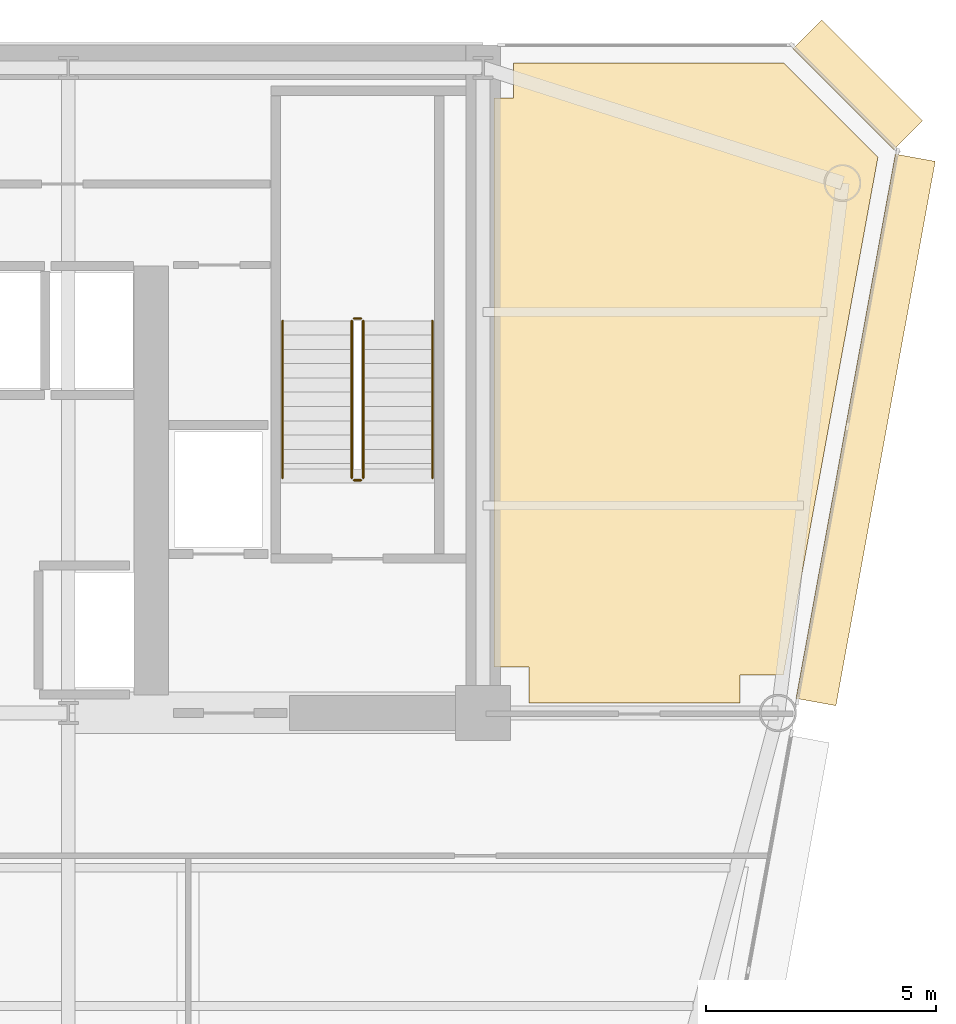
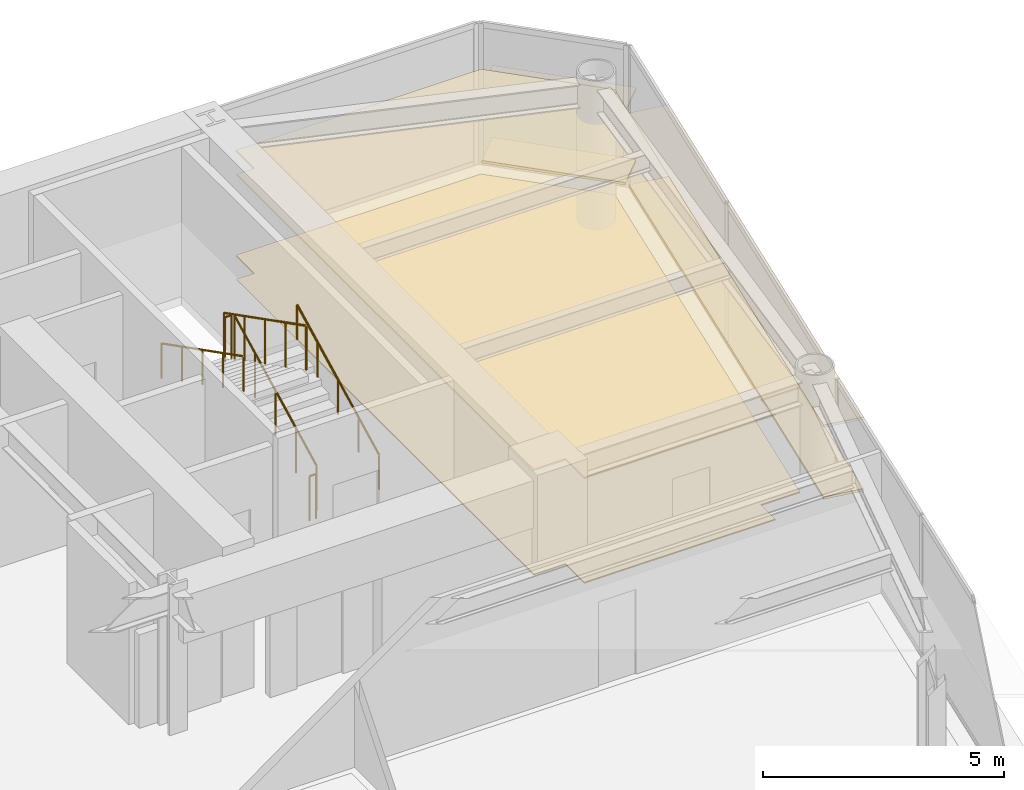
# One storey, part 17 of 17: 6 coverings, 6 railings.
"""IFC4 building model written with IfcOpenShell, lengths in metres."""

import ifcopenshell
import ifcopenshell.guid

model = None  # the IFC model being written
_history = None  # IfcOwnerHistory: only IFC2X3 demands one
_inside = {}  # id of a spatial element -> (the spatial element, [elements in it])
_under = {}  # id of a project, library or spatial element -> (it, [spatial elements below it])
_declared = {}  # id of a project -> (the project, [libraries it declares])
_typed = {}  # id of a type object -> (the type object, [elements of that type])
_made_of = {}  # id of a material, layer set ... -> (it, [elements and type objects made of it])


def new_model(schema):
    """Start an empty IFC model of exactly this schema.

    Asked for "IFC4X3", IfcOpenShell would pick the latest addendum, in which some entities
    have other attributes; the version numbers below select the first issue.
    IFC2X3 requires an IfcOwnerHistory on every rooted entity: one is made here for all.
    """
    global model, _history
    if schema == "IFC4X3":
        model = ifcopenshell.file(schema_version=(4, 3, 0, 0))
    else:
        model = ifcopenshell.file(schema=schema)
    _inside.clear()
    _under.clear()
    _declared.clear()
    _typed.clear()
    _made_of.clear()
    _history = None
    if model.schema == "IFC2X3":
        org = make("IfcOrganization", Name="unknown")
        user = make(
            "IfcPersonAndOrganization",
            ThePerson=make("IfcPerson", FamilyName="unknown"),
            TheOrganization=org,
        )
        app = make(
            "IfcApplication",
            ApplicationDeveloper=org,
            Version="unknown",
            ApplicationFullName="unknown",
            ApplicationIdentifier="unknown",
        )
        _history = make(
            "IfcOwnerHistory",
            OwningUser=user,
            OwningApplication=app,
            ChangeAction="ADDED",
            CreationDate=0,
        )
    return model


def make(cls, **values):
    """One entity of the class cls with the attributes given. An attribute that is None is left unset."""
    return model.create_entity(
        cls, **{name: value for name, value in values.items() if value is not None}
    )


def rooted(cls, **values):
    """An entity with a GlobalId (a new one), such as an element, a storey or a relation."""
    return make(cls, GlobalId=ifcopenshell.guid.new(), OwnerHistory=_history, **values)


def si_unit(unit_type, name, prefix=None):
    """IfcSIUnit, for example si_unit("LENGTHUNIT", "METRE", prefix="MILLI")."""
    return make("IfcSIUnit", UnitType=unit_type, Prefix=prefix, Name=name)


def assignment(units):
    """IfcUnitAssignment: the units of a project."""
    return None if units is None else make("IfcUnitAssignment", Units=units)


def point(xyz):
    """IfcCartesianPoint."""
    return None if xyz is None else make("IfcCartesianPoint", Coordinates=xyz)


def direction(xyz):
    """IfcDirection."""
    return None if xyz is None else make("IfcDirection", DirectionRatios=xyz)


def frame(location, z_axis=None, x_axis=None):
    """IfcAxis2Placement3D, a coordinate frame: its origin and axes. An axis left out is left unset."""
    return make(
        "IfcAxis2Placement3D",
        Location=point(location),
        Axis=direction(z_axis),
        RefDirection=direction(x_axis),
    )


def frame_2d(location, x_axis=None):
    """IfcAxis2Placement2D, a coordinate frame in the plane: its origin and x axis."""
    return make(
        "IfcAxis2Placement2D", Location=point(location), RefDirection=direction(x_axis)
    )


def origin():
    """The frame at (0, 0, 0) with its axes left unset."""
    return frame((0.0, 0.0, 0.0))


def origin_2d():
    """The frame at (0, 0) in the plane with its x axis left unset."""
    return frame_2d((0.0, 0.0))


def place(relative_to, where):
    """IfcLocalPlacement: puts the frame where relative to a parent placement (None: the world)."""
    return make(
        "IfcLocalPlacement", PlacementRelTo=relative_to, RelativePlacement=where
    )


def context(
    kind, dimensions, precision=None, world=None, true_north=None, identifier=None
):
    """IfcGeometricRepresentationContext, for example the 3D "Model" context."""
    return make(
        "IfcGeometricRepresentationContext",
        ContextIdentifier=identifier,
        ContextType=kind,
        CoordinateSpaceDimension=dimensions,
        Precision=precision,
        WorldCoordinateSystem=world,
        TrueNorth=true_north,
    )


def subcontext(parent, identifier, kind, view, scale=None):
    """IfcGeometricRepresentationSubContext, for example "Body" below "Model"."""
    return make(
        "IfcGeometricRepresentationSubContext",
        ContextIdentifier=identifier,
        ContextType=kind,
        ParentContext=parent,
        TargetScale=scale,
        TargetView=view,
    )


def project(units=None, contexts=None):
    """IfcProject with its units and contexts."""
    return rooted(
        "IfcProject",
        Name="project",
        RepresentationContexts=contexts,
        UnitsInContext=assignment(units),
    )


def spatial(cls, under=None, at=None, **own):
    """A site, building, storey or space (cls), placed at a placement, below another one or the project."""
    s = rooted(cls, ObjectPlacement=at, **own)
    if under is not None:
        _under.setdefault(under.id(), (under, []))[1].append(s)
    return s


def polyline(points):
    """IfcPolyline through the points."""
    return make("IfcPolyline", Points=[point(p) for p in points])


def profile(cls, at=None, kind="AREA", **sizes):
    """A parametric profile (cls). Its sizes go by their IFC names, for example OverallWidth=200.0."""
    return make(cls, ProfileType=kind, Position=at, **sizes)


def rectangle(**sizes):
    """IfcRectangleProfileDef."""
    return profile("IfcRectangleProfileDef", **sizes)


def circle(**sizes):
    """IfcCircleProfileDef."""
    return profile("IfcCircleProfileDef", **sizes)


def outline(outer, holes=None, kind="AREA"):
    """IfcArbitraryClosedProfileDef: a profile drawn as a closed curve; with holes, ...WithVoids."""
    if holes is None:
        return make("IfcArbitraryClosedProfileDef", ProfileType=kind, OuterCurve=outer)
    return make(
        "IfcArbitraryProfileDefWithVoids",
        ProfileType=kind,
        OuterCurve=outer,
        InnerCurves=holes,
    )


def extrude(swept, where, along, depth):
    """IfcExtrudedAreaSolid: the profile swept, set in the frame where, extruded along a direction by depth."""
    return make(
        "IfcExtrudedAreaSolid",
        SweptArea=swept,
        Position=where,
        ExtrudedDirection=direction(along),
        Depth=depth,
    )


def shape(context_of_items, identifier, shape_type, items):
    """IfcShapeRepresentation: the items that make up one representation, for example the "Body"."""
    return make(
        "IfcShapeRepresentation",
        ContextOfItems=context_of_items,
        RepresentationIdentifier=identifier,
        RepresentationType=shape_type,
        Items=items,
    )


def source(mapping_origin, context_of_items, identifier, shape_type, items):
    """IfcRepresentationMap: a shape defined once, which mapped items show again and again."""
    return make(
        "IfcRepresentationMap",
        MappingOrigin=mapping_origin,
        MappedRepresentation=shape(context_of_items, identifier, shape_type, items),
    )


def transform(
    local_origin,
    x_axis=None,
    y_axis=None,
    z_axis=None,
    scale=None,
    scale2=None,
    scale3=None,
    uniform=True,
):
    """IfcCartesianTransformationOperator3D, or its non-uniform kind. x_axis, y_axis, z_axis: its Axis1, 2, 3."""
    if uniform:
        return make(
            "IfcCartesianTransformationOperator3D",
            Axis1=direction(x_axis),
            Axis2=direction(y_axis),
            LocalOrigin=point(local_origin),
            Scale=scale,
            Axis3=direction(z_axis),
        )
    return make(
        "IfcCartesianTransformationOperator3DnonUniform",
        Axis1=direction(x_axis),
        Axis2=direction(y_axis),
        LocalOrigin=point(local_origin),
        Scale=scale,
        Axis3=direction(z_axis),
        Scale2=scale2,
        Scale3=scale3,
    )


def mapped(mapping_source, mapping_target):
    """IfcMappedItem: shows the shape of a source again, moved by a transform."""
    return make(
        "IfcMappedItem", MappingSource=mapping_source, MappingTarget=mapping_target
    )


def material(Name=None, Category=None):
    """IfcMaterial."""
    return make("IfcMaterial", Name=Name, Category=Category)


def layer(
    of_material, thickness, ventilated=None, Name=None, Category=None, Priority=None
):
    """IfcMaterialLayer: one layer of a wall or slab, of a material (None: an air gap)."""
    return make(
        "IfcMaterialLayer",
        Material=of_material,
        LayerThickness=thickness,
        IsVentilated=ventilated,
        Name=Name,
        Category=Category,
        Priority=Priority,
    )


def layer_set(layers, Name=None):
    """IfcMaterialLayerSet."""
    return make("IfcMaterialLayerSet", MaterialLayers=layers, LayerSetName=Name)


def made_of(thing, what):
    """Note that an element or type object is made of a material, layer set ...; save() writes the relation."""
    if what is not None:
        _made_of.setdefault(what.id(), (what, []))[1].append(thing)
    return thing


def type_object(cls, material=None, **own):
    """A type object (cls), such as IfcWallType, which elements share."""
    return made_of(rooted(cls, **own), material)


def element(
    cls,
    number,
    at=None,
    inside=None,
    cuts=None,
    type_object=None,
    material=None,
    context=None,
    identifier="Body",
    shape_type=None,
    held_by="IfcProductDefinitionShape",
    body=None,
    shapes=None,
    **own,
):
    """One element of the class cls, such as IfcWall. Its Tag is "e" and its number.

    at: its placement. inside: the storey or other place that contains it. cuts: it is an
    opening in that element (IfcRelVoidsElement). A single representation is given by context,
    identifier, shape_type and body (its items); several are given by shapes. held_by: the class
    of the entity that holds the representations. save() writes the other relations.
    """
    e = rooted(cls, Tag="e%d" % number, ObjectPlacement=at, **own)
    if body is not None:
        shapes = [shape(context, identifier, shape_type, body)]
    if shapes is not None:
        e.Representation = make(held_by, Representations=shapes)
    if inside is not None:
        _inside.setdefault(inside.id(), (inside, []))[1].append(e)
    if cuts is not None:
        rooted(
            "IfcRelVoidsElement", RelatingBuildingElement=cuts, RelatedOpeningElement=e
        )
    if type_object is not None:
        _typed.setdefault(type_object.id(), (type_object, []))[1].append(e)
    return made_of(e, material)


def aggregate(whole, parts):
    """IfcRelAggregates: a whole, such as a stair, and the parts it consists of."""
    return rooted("IfcRelAggregates", RelatingObject=whole, RelatedObjects=parts)


def save(model, path):
    """Write the relations noted so far, then the file.

    IfcRelAggregates (storeys below a building ...), IfcRelContainedInSpatialStructure (elements
    in a storey), IfcRelDefinesByType, IfcRelAssociatesMaterial and IfcRelDeclares: one each for
    every whole, place, type object, material and project.
    """
    for whole, parts in _under.values():
        aggregate(whole, parts)
    for where, things in _inside.values():
        rooted(
            "IfcRelContainedInSpatialStructure",
            RelatedElements=things,
            RelatingStructure=where,
        )
    for kind, things in _typed.values():
        rooted("IfcRelDefinesByType", RelatedObjects=things, RelatingType=kind)
    for what, things in _made_of.values():
        rooted("IfcRelAssociatesMaterial", RelatedObjects=things, RelatingMaterial=what)
    for by, libraries in _declared.values():
        rooted("IfcRelDeclares", RelatingContext=by, RelatedDefinitions=libraries)
    model.write(path)


model = new_model("IFC4")

# Units and contexts
model_context = context("Model", 3, precision=1e-05, world=origin(), true_north=direction((0.0, 1.0)))
body_context = subcontext(model_context, "Body", "Model", "MODEL_VIEW")
ifc_project = project(units=[si_unit("LENGTHUNIT", "METRE"), si_unit("AREAUNIT", "SQUARE_METRE"), si_unit("VOLUMEUNIT", "CUBIC_METRE"), si_unit("PLANEANGLEUNIT", "RADIAN"), si_unit("MASSUNIT", "GRAM", prefix="KILO")], contexts=[model_context])

# Site, building, storey
site_placement = place(None, origin())
site = spatial("IfcSite", under=ifc_project, at=site_placement, CompositionType="ELEMENT")
building_placement = place(site_placement, origin())
building = spatial("IfcBuilding", under=site, at=building_placement, Name="Vaeldorn Concourse Tower", CompositionType="ELEMENT")
storey_placement = place(building_placement, frame((0.0, 0.0, 165.199951171875)))
storey = spatial("IfcBuildingStorey", under=building, at=storey_placement, Name="L42", CompositionType="ELEMENT", Elevation=165.199951171875)

# Coverings
ifc_material_1 = material(Name="Acoustic Mineral Fibre Board", Category="gypsum")
ifc_layer_1 = layer(ifc_material_1, 0.0400390625)
ifc_layer_set_1 = layer_set([ifc_layer_1], Name="Acoustic Mineral Fibre Board")
covering_type_1 = type_object("IfcCoveringType", Name="COV-CEIL-ACOUSTIC", PredefinedType="CEILING", material=ifc_layer_set_1)
covering_1_placement = place(storey_placement, frame((0.0, 0.0, 2.650146484375)))
element("IfcCovering", 1, at=covering_1_placement, inside=storey, type_object=covering_type_1, Name="Suspended Acoustic Ceiling L42-4", PredefinedType="CEILING", context=body_context, shape_type="SweptSolid", body=[
    extrude(outline(polyline([(54.659912109375, 49.840087890625), (54.659912109375, 50.60009765625), (60.5341796875, 50.60009765625), (62.56884765625, 48.5654296875), (60.517578125, 37.320068359375), (59.580078125, 37.320068359375), (59.580078125, 36.719970703125), (55.0, 36.719970703125), (55.0, 37.5), (54.239990234375, 37.5), (54.239990234375, 49.840087890625), (54.659912109375, 49.840087890625)])), origin(), (0.0, 0.0, 1.0), 0.039794921875),
])
ifc_material_2 = material(Name="Honed Limestone Terrazzo Flooring", Category="masonry")
ifc_layer_2 = layer(ifc_material_2, 0.0400390625)
ifc_layer_set_2 = layer_set([ifc_layer_2], Name="Honed Limestone Terrazzo Flooring")
covering_type_2 = type_object("IfcCoveringType", Name="COV-FLOOR-STONE", PredefinedType="FLOORING", material=ifc_layer_set_2)
covering_2_placement = place(storey_placement, origin())
element("IfcCovering", 2, at=covering_2_placement, inside=storey, type_object=covering_type_2, Name="Floor Finish Covering L42-4", PredefinedType="FLOORING", context=body_context, shape_type="SweptSolid", body=[
    extrude(outline(polyline([(54.659912109375, 49.840087890625), (54.659912109375, 50.60009765625), (60.5341796875, 50.60009765625), (62.56884765625, 48.5654296875), (60.517578125, 37.320068359375), (59.580078125, 37.320068359375), (59.580078125, 36.719970703125), (55.0, 36.719970703125), (55.0, 37.5), (54.239990234375, 37.5), (54.239990234375, 49.840087890625), (54.659912109375, 49.840087890625)])), origin(), (0.0, 0.0, 1.0), 0.030029296875),
])

# Railings
ifc_material_3 = material(Name="Anodised Bronze Aluminium", Category="aluminium")
railing_type_1 = type_object("IfcRailingType", Name="RL-STAIR-GUARD", PredefinedType="GUARDRAIL", material=ifc_material_3)
railing_1_placement = place(storey_placement, frame((51.39990234375, 41.60009765625, 0.158447265625)))
element("IfcRailing", 3, at=railing_1_placement, inside=storey, type_object=railing_type_1, Name="L42 ST-2 stair guard 1", PredefinedType="GUARDRAIL", context=body_context, shape_type="SweptSolid", body=[
    extrude(circle(Radius=0.02392578125, at=origin_2d()), frame((0.0, 0.0, 1.1259765625), z_axis=(0.0, 0.890555807335, 0.454873997962), x_axis=(-1.0, 0.0, 0.0)), (0.0, 0.0, 1.0), 3.828857421875),
    extrude(circle(Radius=0.02099609375, at=origin_2d()), origin(), (0.0, 0.0, 1.0), 1.101806640625),
    extrude(circle(Radius=0.02099609375, at=origin_2d()), frame((0.0, 0.8525390625, 0.435546875)), (0.0, 0.0, 1.0), 1.101806640625),
    extrude(circle(Radius=0.02099609375, at=origin_2d()), frame((0.0, 1.705078125, 0.870849609375)), (0.0, 0.0, 1.0), 1.101806640625),
    extrude(circle(Radius=0.02099609375, at=origin_2d()), frame((0.0, 2.557373046875, 1.30615234375)), (0.0, 0.0, 1.0), 1.101806640625),
    extrude(circle(Radius=0.02099609375, at=origin_2d()), frame((0.0, 3.409912109375, 1.74169921875)), (0.0, 0.0, 1.0), 1.101806640625),
])
railing_2_placement = place(storey_placement, frame((51.35009765625, 45.06005859375, 1.900146484375)))
element("IfcRailing", 4, at=railing_2_placement, inside=storey, type_object=railing_type_1, Name="L42 ST-2 stair guard 2", PredefinedType="GUARDRAIL", context=body_context, shape_type="SweptSolid", body=[
    extrude(circle(Radius=0.02392578125, at=origin_2d()), frame((0.0, 0.0, 1.1259765625), z_axis=(-1.0, 0.0, 0.0), x_axis=(0.0, -1.0, 0.0)), (0.0, 0.0, 1.0), 0.150146484375),
    extrude(circle(Radius=0.02099609375, at=origin_2d()), origin(), (0.0, 0.0, 1.0), 1.101806640625),
    extrude(circle(Radius=0.02099609375, at=origin_2d()), frame((-0.150146484375, 0.0, 0.0)), (0.0, 0.0, 1.0), 1.101806640625),
])
railing_3_placement = place(storey_placement, frame((51.14990234375, 45.010009765625, 2.058349609375)))
element("IfcRailing", 5, at=railing_3_placement, inside=storey, type_object=railing_type_1, Name="L42 ST-2 stair guard 3", PredefinedType="GUARDRAIL", context=body_context, shape_type="SweptSolid", body=[
    extrude(circle(Radius=0.02392578125, at=origin_2d()), frame((0.0, 0.0, 1.1259765625), z_axis=(0.0, -0.890555807335, 0.454873997962), x_axis=(1.0, 0.0, 0.0)), (0.0, 0.0, 1.0), 3.828857421875),
    extrude(circle(Radius=0.02099609375, at=origin_2d()), origin(), (0.0, 0.0, 1.0), 1.101806640625),
    extrude(circle(Radius=0.02099609375, at=origin_2d()), frame((0.0, -0.8525390625, 0.435546875)), (0.0, 0.0, 1.0), 1.101806640625),
    extrude(circle(Radius=0.02099609375, at=origin_2d()), frame((0.0, -1.705078125, 0.870849609375)), (0.0, 0.0, 1.0), 1.101806640625),
    extrude(circle(Radius=0.02099609375, at=origin_2d()), frame((0.0, -2.557373046875, 1.30615234375)), (0.0, 0.0, 1.0), 1.101806640625),
    extrude(circle(Radius=0.02099609375, at=origin_2d()), frame((0.0, -3.409912109375, 1.74169921875)), (0.0, 0.0, 1.0), 1.101806640625),
])
railing_4_placement = place(storey_placement, frame((51.35009765625, 41.550048828125, 0.0)))
element("IfcRailing", 6, at=railing_4_placement, inside=storey, type_object=railing_type_1, Name="L42 ST-2 stair guard 4", PredefinedType="GUARDRAIL", context=body_context, shape_type="SweptSolid", body=[
    extrude(circle(Radius=0.02392578125, at=origin_2d()), frame((0.0, 0.0, 1.1259765625), z_axis=(-1.0, 0.0, 0.0), x_axis=(0.0, -1.0, 0.0)), (0.0, 0.0, 1.0), 0.150146484375),
    extrude(circle(Radius=0.02099609375, at=origin_2d()), origin(), (0.0, 0.0, 1.0), 1.101806640625),
    extrude(circle(Radius=0.02099609375, at=origin_2d()), frame((-0.150146484375, 0.0, 0.0)), (0.0, 0.0, 1.0), 1.101806640625),
])
railing_type_2 = type_object("IfcRailingType", Name="RL-STAIR-HANDRAIL", PredefinedType="HANDRAIL", material=ifc_material_3)
railing_5_placement = place(storey_placement, frame((52.89990234375, 41.60009765625, 0.158447265625)))
element("IfcRailing", 7, at=railing_5_placement, inside=storey, type_object=railing_type_2, Name="L42 ST-2 stair handrail 1", PredefinedType="HANDRAIL", context=body_context, shape_type="SweptSolid", body=[
    extrude(circle(Radius=0.02392578125, at=origin_2d()), frame((0.0, 0.0, 0.8759765625), z_axis=(0.0, 0.890555807335, 0.454873997962), x_axis=(-1.0, 0.0, 0.0)), (0.0, 0.0, 1.0), 3.828857421875),
    extrude(circle(Radius=0.02099609375, at=origin_2d()), origin(), (0.0, 0.0, 1.0), 0.851806640625),
    extrude(circle(Radius=0.02099609375, at=origin_2d()), frame((0.0, 0.8525390625, 0.435546875)), (0.0, 0.0, 1.0), 0.851806640625),
    extrude(circle(Radius=0.02099609375, at=origin_2d()), frame((0.0, 1.705078125, 0.870849609375)), (0.0, 0.0, 1.0), 0.851806640625),
    extrude(circle(Radius=0.02099609375, at=origin_2d()), frame((0.0, 2.557373046875, 1.30615234375)), (0.0, 0.0, 1.0), 0.851806640625),
    extrude(circle(Radius=0.02099609375, at=origin_2d()), frame((0.0, 3.409912109375, 1.74169921875)), (0.0, 0.0, 1.0), 0.851806640625),
])
railing_6_placement = place(storey_placement, frame((49.64990234375, 45.010009765625, 2.058349609375)))
element("IfcRailing", 8, at=railing_6_placement, inside=storey, type_object=railing_type_2, Name="L42 ST-2 stair handrail 2", PredefinedType="HANDRAIL", context=body_context, shape_type="SweptSolid", body=[
    extrude(circle(Radius=0.02392578125, at=origin_2d()), frame((0.0, 0.0, 0.8759765625), z_axis=(0.0, -0.890555807335, 0.454873997962), x_axis=(1.0, 0.0, 0.0)), (0.0, 0.0, 1.0), 3.828857421875),
    extrude(circle(Radius=0.02099609375, at=origin_2d()), origin(), (0.0, 0.0, 1.0), 0.851806640625),
    extrude(circle(Radius=0.02099609375, at=origin_2d()), frame((0.0, -0.8525390625, 0.435546875)), (0.0, 0.0, 1.0), 0.851806640625),
    extrude(circle(Radius=0.02099609375, at=origin_2d()), frame((0.0, -1.705078125, 0.870849609375)), (0.0, 0.0, 1.0), 0.851806640625),
    extrude(circle(Radius=0.02099609375, at=origin_2d()), frame((0.0, -2.557373046875, 1.30615234375)), (0.0, 0.0, 1.0), 0.851806640625),
    extrude(circle(Radius=0.02099609375, at=origin_2d()), frame((0.0, -3.409912109375, 1.74169921875)), (0.0, 0.0, 1.0), 0.851806640625),
])

# Coverings
ifc_layer_3 = layer(ifc_material_3, 0.06494140625)
ifc_layer_set_3 = layer_set([ifc_layer_3], Name="Anodised Bronze Aluminium")
covering_type_3 = type_object("IfcCoveringType", Name="SD-BRONZE-SUNSHADE", PredefinedType="USERDEFINED", material=ifc_layer_set_3)
shared_shape_1 = source(origin(), body_context, "Body", "SweptSolid", [
    extrude(rectangle(XDim=3.0927734375, YDim=0.8798828125, at=origin_2d()), origin(), (0.0, 0.0, 1.0), 0.06494140625),
])
for number, where, z_axis, x_axis, name in (
    (9, (62.1328125, 50.1328125, 0.047607421875), (0.0, 0.0, 1.0), (-0.707106781187, 0.707106781187, 0.0), "Horizontal Bronze Sunshade L42-E08.1.1"),
    (10, (62.1328125, 50.1328125, 1.86767578125), (0.0, 0.0, 1.0), (-0.707106781187, 0.707106781187, 0.0), "Horizontal Bronze Sunshade L42-E08.1.2"),
):
    element("IfcCovering", number, at=place(storey_placement, frame(where, z_axis=z_axis, x_axis=x_axis)), inside=storey, type_object=covering_type_3, Name=name, ObjectType="SUNSHADE", PredefinedType="USERDEFINED", context=body_context, shape_type="MappedRepresentation", body=[
        mapped(shared_shape_1, transform((0.0, 0.0, 0.0), scale=1.0)),
    ])
shared_shape_2 = source(origin(), body_context, "Body", "SweptSolid", [
    extrude(rectangle(XDim=12.0078125, YDim=0.8798828125, at=origin_2d()), origin(), (0.0, 0.0, 1.0), 0.06494140625),
])
for number, where, z_axis, x_axis, name in (
    (11, (62.3017578125, 42.64306640625, 0.047607421875), (0.0, 0.0, 1.0), (0.179454713012, 0.983766235433, 0.0), "Horizontal Bronze Sunshade L42-E07.2.1"),
    (12, (62.3017578125, 42.64306640625, 1.86767578125), (0.0, 0.0, 1.0), (0.179454713012, 0.983766235433, 0.0), "Horizontal Bronze Sunshade L42-E07.2.2"),
):
    element("IfcCovering", number, at=place(storey_placement, frame(where, z_axis=z_axis, x_axis=x_axis)), inside=storey, type_object=covering_type_3, Name=name, ObjectType="SUNSHADE", PredefinedType="USERDEFINED", context=body_context, shape_type="MappedRepresentation", body=[
        mapped(shared_shape_2, transform((0.0, 0.0, 0.0), scale=1.0)),
    ])

save(model, "model.ifc")
